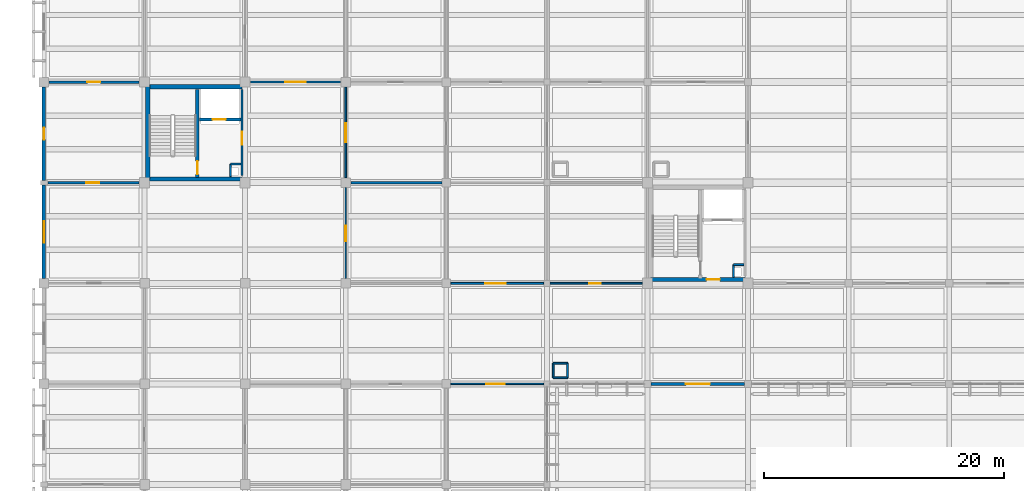
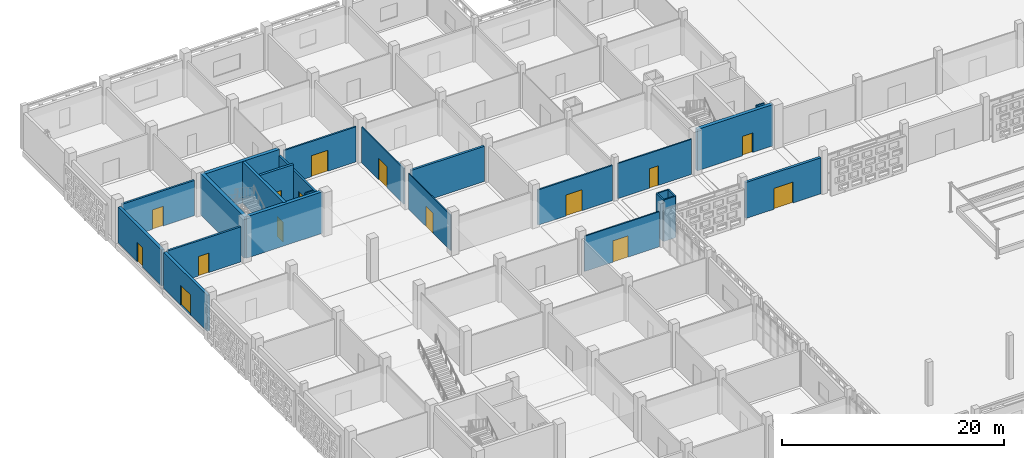
# One storey, part 63 of 129: 27 walls, 15 doors, 15 openings.
"""IFC4 building model written with IfcOpenShell, lengths in metres."""

import ifcopenshell
import ifcopenshell.guid

model = None  # the IFC model being written
_history = None  # IfcOwnerHistory: only IFC2X3 demands one
_inside = {}  # id of a spatial element -> (the spatial element, [elements in it])
_under = {}  # id of a project, library or spatial element -> (it, [spatial elements below it])
_declared = {}  # id of a project -> (the project, [libraries it declares])
_typed = {}  # id of a type object -> (the type object, [elements of that type])
_made_of = {}  # id of a material, layer set ... -> (it, [elements and type objects made of it])


def new_model(schema):
    """Start an empty IFC model of exactly this schema.

    Asked for "IFC4X3", IfcOpenShell would pick the latest addendum, in which some entities
    have other attributes; the version numbers below select the first issue.
    IFC2X3 requires an IfcOwnerHistory on every rooted entity: one is made here for all.
    """
    global model, _history
    if schema == "IFC4X3":
        model = ifcopenshell.file(schema_version=(4, 3, 0, 0))
    else:
        model = ifcopenshell.file(schema=schema)
    _inside.clear()
    _under.clear()
    _declared.clear()
    _typed.clear()
    _made_of.clear()
    _history = None
    if model.schema == "IFC2X3":
        org = make("IfcOrganization", Name="unknown")
        user = make(
            "IfcPersonAndOrganization",
            ThePerson=make("IfcPerson", FamilyName="unknown"),
            TheOrganization=org,
        )
        app = make(
            "IfcApplication",
            ApplicationDeveloper=org,
            Version="unknown",
            ApplicationFullName="unknown",
            ApplicationIdentifier="unknown",
        )
        _history = make(
            "IfcOwnerHistory",
            OwningUser=user,
            OwningApplication=app,
            ChangeAction="ADDED",
            CreationDate=0,
        )
    return model


def make(cls, **values):
    """One entity of the class cls with the attributes given. An attribute that is None is left unset."""
    return model.create_entity(
        cls, **{name: value for name, value in values.items() if value is not None}
    )


def rooted(cls, **values):
    """An entity with a GlobalId (a new one), such as an element, a storey or a relation."""
    return make(cls, GlobalId=ifcopenshell.guid.new(), OwnerHistory=_history, **values)


def si_unit(unit_type, name, prefix=None):
    """IfcSIUnit, for example si_unit("LENGTHUNIT", "METRE", prefix="MILLI")."""
    return make("IfcSIUnit", UnitType=unit_type, Prefix=prefix, Name=name)


def assignment(units):
    """IfcUnitAssignment: the units of a project."""
    return None if units is None else make("IfcUnitAssignment", Units=units)


def point(xyz):
    """IfcCartesianPoint."""
    return None if xyz is None else make("IfcCartesianPoint", Coordinates=xyz)


def direction(xyz):
    """IfcDirection."""
    return None if xyz is None else make("IfcDirection", DirectionRatios=xyz)


def frame(location, z_axis=None, x_axis=None):
    """IfcAxis2Placement3D, a coordinate frame: its origin and axes. An axis left out is left unset."""
    return make(
        "IfcAxis2Placement3D",
        Location=point(location),
        Axis=direction(z_axis),
        RefDirection=direction(x_axis),
    )


def frame_2d(location, x_axis=None):
    """IfcAxis2Placement2D, a coordinate frame in the plane: its origin and x axis."""
    return make(
        "IfcAxis2Placement2D", Location=point(location), RefDirection=direction(x_axis)
    )


def origin():
    """The frame at (0, 0, 0) with its axes left unset."""
    return frame((0.0, 0.0, 0.0))


def place(relative_to, where):
    """IfcLocalPlacement: puts the frame where relative to a parent placement (None: the world)."""
    return make(
        "IfcLocalPlacement", PlacementRelTo=relative_to, RelativePlacement=where
    )


def context(
    kind, dimensions, precision=None, world=None, true_north=None, identifier=None
):
    """IfcGeometricRepresentationContext, for example the 3D "Model" context."""
    return make(
        "IfcGeometricRepresentationContext",
        ContextIdentifier=identifier,
        ContextType=kind,
        CoordinateSpaceDimension=dimensions,
        Precision=precision,
        WorldCoordinateSystem=world,
        TrueNorth=true_north,
    )


def subcontext(parent, identifier, kind, view, scale=None):
    """IfcGeometricRepresentationSubContext, for example "Body" below "Model"."""
    return make(
        "IfcGeometricRepresentationSubContext",
        ContextIdentifier=identifier,
        ContextType=kind,
        ParentContext=parent,
        TargetScale=scale,
        TargetView=view,
    )


def project(units=None, contexts=None):
    """IfcProject with its units and contexts."""
    return rooted(
        "IfcProject",
        Name="project",
        RepresentationContexts=contexts,
        UnitsInContext=assignment(units),
    )


def spatial(cls, under=None, at=None, **own):
    """A site, building, storey or space (cls), placed at a placement, below another one or the project."""
    s = rooted(cls, ObjectPlacement=at, **own)
    if under is not None:
        _under.setdefault(under.id(), (under, []))[1].append(s)
    return s


def profile(cls, at=None, kind="AREA", **sizes):
    """A parametric profile (cls). Its sizes go by their IFC names, for example OverallWidth=200.0."""
    return make(cls, ProfileType=kind, Position=at, **sizes)


def rectangle(**sizes):
    """IfcRectangleProfileDef."""
    return profile("IfcRectangleProfileDef", **sizes)


def extrude(swept, where, along, depth):
    """IfcExtrudedAreaSolid: the profile swept, set in the frame where, extruded along a direction by depth."""
    return make(
        "IfcExtrudedAreaSolid",
        SweptArea=swept,
        Position=where,
        ExtrudedDirection=direction(along),
        Depth=depth,
    )


def shape(context_of_items, identifier, shape_type, items):
    """IfcShapeRepresentation: the items that make up one representation, for example the "Body"."""
    return make(
        "IfcShapeRepresentation",
        ContextOfItems=context_of_items,
        RepresentationIdentifier=identifier,
        RepresentationType=shape_type,
        Items=items,
    )


def material(Name=None, Category=None):
    """IfcMaterial."""
    return make("IfcMaterial", Name=Name, Category=Category)


def layer(
    of_material, thickness, ventilated=None, Name=None, Category=None, Priority=None
):
    """IfcMaterialLayer: one layer of a wall or slab, of a material (None: an air gap)."""
    return make(
        "IfcMaterialLayer",
        Material=of_material,
        LayerThickness=thickness,
        IsVentilated=ventilated,
        Name=Name,
        Category=Category,
        Priority=Priority,
    )


def layer_set(layers, Name=None):
    """IfcMaterialLayerSet."""
    return make("IfcMaterialLayerSet", MaterialLayers=layers, LayerSetName=Name)


def made_of(thing, what):
    """Note that an element or type object is made of a material, layer set ...; save() writes the relation."""
    if what is not None:
        _made_of.setdefault(what.id(), (what, []))[1].append(thing)
    return thing


def type_object(cls, material=None, **own):
    """A type object (cls), such as IfcWallType, which elements share."""
    return made_of(rooted(cls, **own), material)


def element(
    cls,
    number,
    at=None,
    inside=None,
    cuts=None,
    type_object=None,
    material=None,
    context=None,
    identifier="Body",
    shape_type=None,
    held_by="IfcProductDefinitionShape",
    body=None,
    shapes=None,
    **own,
):
    """One element of the class cls, such as IfcWall. Its Tag is "e" and its number.

    at: its placement. inside: the storey or other place that contains it. cuts: it is an
    opening in that element (IfcRelVoidsElement). A single representation is given by context,
    identifier, shape_type and body (its items); several are given by shapes. held_by: the class
    of the entity that holds the representations. save() writes the other relations.
    """
    e = rooted(cls, Tag="e%d" % number, ObjectPlacement=at, **own)
    if body is not None:
        shapes = [shape(context, identifier, shape_type, body)]
    if shapes is not None:
        e.Representation = make(held_by, Representations=shapes)
    if inside is not None:
        _inside.setdefault(inside.id(), (inside, []))[1].append(e)
    if cuts is not None:
        rooted(
            "IfcRelVoidsElement", RelatingBuildingElement=cuts, RelatedOpeningElement=e
        )
    if type_object is not None:
        _typed.setdefault(type_object.id(), (type_object, []))[1].append(e)
    return made_of(e, material)


def fill(opening, filler):
    """IfcRelFillsElement: the door or window that sits in an opening."""
    return rooted(
        "IfcRelFillsElement",
        RelatingOpeningElement=opening,
        RelatedBuildingElement=filler,
    )


def aggregate(whole, parts):
    """IfcRelAggregates: a whole, such as a stair, and the parts it consists of."""
    return rooted("IfcRelAggregates", RelatingObject=whole, RelatedObjects=parts)


def save(model, path):
    """Write the relations noted so far, then the file.

    IfcRelAggregates (storeys below a building ...), IfcRelContainedInSpatialStructure (elements
    in a storey), IfcRelDefinesByType, IfcRelAssociatesMaterial and IfcRelDeclares: one each for
    every whole, place, type object, material and project.
    """
    for whole, parts in _under.values():
        aggregate(whole, parts)
    for where, things in _inside.values():
        rooted(
            "IfcRelContainedInSpatialStructure",
            RelatedElements=things,
            RelatingStructure=where,
        )
    for kind, things in _typed.values():
        rooted("IfcRelDefinesByType", RelatedObjects=things, RelatingType=kind)
    for what, things in _made_of.values():
        rooted("IfcRelAssociatesMaterial", RelatedObjects=things, RelatingMaterial=what)
    for by, libraries in _declared.values():
        rooted("IfcRelDeclares", RelatingContext=by, RelatedDefinitions=libraries)
    model.write(path)


model = new_model("IFC4")

# Units and contexts
model_context = context("Model", 3, precision=1e-05, world=origin(), true_north=direction((0.0, 1.0)))
body_context = subcontext(model_context, "Body", "Model", "MODEL_VIEW")
ifc_project = project(units=[si_unit("LENGTHUNIT", "METRE"), si_unit("AREAUNIT", "SQUARE_METRE"), si_unit("VOLUMEUNIT", "CUBIC_METRE"), si_unit("PLANEANGLEUNIT", "RADIAN"), si_unit("MASSUNIT", "GRAM", prefix="KILO")], contexts=[model_context])

# Site, building, storey
site_placement = place(None, origin())
site = spatial("IfcSite", under=ifc_project, at=site_placement, CompositionType="ELEMENT")
building_placement = place(site_placement, origin())
building = spatial("IfcBuilding", under=site, at=building_placement, Name="Varnapada Polytechnic", CompositionType="ELEMENT")
storey_placement = place(building_placement, origin())
storey = spatial("IfcBuildingStorey", under=building, at=storey_placement, Name="L00", CompositionType="ELEMENT", Elevation=0.0)

# Wall, opening, door
ifc_material_1 = material(Name="Autoclaved Aerated Concrete Block AAC-600", Category="concrete")
ifc_layer_1 = layer(ifc_material_1, 0.199951171875)
ifc_layer_set_1 = layer_set([ifc_layer_1], Name="Autoclaved Aerated Concrete Block AAC-600")
wall_type_1 = type_object("IfcWallType", Name="Interior Wall IW-01", PredefinedType="PARTITIONING", material=ifc_layer_set_1)
wall_1_placement = place(storey_placement, frame((16.5400390625, 108.60009765625, 0.0), z_axis=(0.0, 0.0, 1.0), x_axis=(0.0, -1.0, 0.0)))
wall_1 = element("IfcWall", 1, at=wall_1_placement, inside=storey, type_object=wall_type_1, Name="L00 C1 firefighting lobby east wall", PredefinedType="PARTITIONING", context=body_context, shape_type="SweptSolid", body=[
    extrude(rectangle(XDim=7.2001953125, YDim=0.199951171875, at=frame_2d((3.60009765625, 0.0))), origin(), (0.0, 0.0, 1.0), 3.919921875),
])
opening_1_placement = place(wall_1_placement, frame((3.550048828125, 0.0, 0.0)))
opening_1 = element("IfcOpeningElement", 2, at=opening_1_placement, cuts=wall_1, Name="Opening D-810", PredefinedType="OPENING", context=body_context, shape_type="SweptSolid", body=[
    extrude(rectangle(XDim=1.10009765625, YDim=2.14990234375, at=frame_2d((0.550048828125, 1.074951171875))), frame((0.0, 0.10986328125, 0.0), z_axis=(0.0, -1.0, 0.0), x_axis=(1.0, 0.0, 0.0)), (0.0, 0.0, 1.0), 0.219970703125),
])
ifc_material_2 = material(Name="Galvanized Steel Z275", Category="steel")
door_type_1 = type_object("IfcDoorType", Name="Interior Door ID-01", OperationType="NOTDEFINED", PredefinedType="DOOR", material=ifc_material_2)
door_1_placement = place(opening_1_placement, origin())
door_1 = element("IfcDoor", 3, at=door_1_placement, inside=storey, type_object=door_type_1, Name="L00 C1 lobby fire door D-810", OperationType="SINGLE_SWING_RIGHT", OverallHeight=2.14990234375, OverallWidth=1.10009765625, PredefinedType="DOOR", context=body_context, shape_type="SweptSolid", body=[
    extrude(rectangle(XDim=1.10009765625, YDim=2.14990234375, at=frame_2d((0.550048828125, 1.074951171875))), frame((0.0, 0.02490234375, 0.0), z_axis=(0.0, -1.0, 0.0), x_axis=(1.0, 0.0, 0.0)), (0.0, 0.0, 1.0), 0.050048828125),
])
fill(opening_1, door_1)

wall_2_placement = place(storey_placement, frame((0.320068359375, 100.800048828125, 0.0), z_axis=(0.0, 0.0, 1.0), x_axis=(1.0, 0.0, 0.0)))
wall_2 = element("IfcWall", 4, at=wall_2_placement, inside=storey, type_object=wall_type_1, Name="L00 interior partition IW-L00-00-11-H", PredefinedType="PARTITIONING", context=body_context, shape_type="SweptSolid", body=[
    extrude(rectangle(XDim=7.635009765625, YDim=0.199951171875, at=frame_2d((3.8173828125, 0.0))), origin(), (0.0, 0.0, 1.0), 3.8701171875),
])
opening_2_placement = place(wall_2_placement, frame((3.199951171875, 0.0, 0.0)))
opening_2 = element("IfcOpeningElement", 5, at=opening_2_placement, cuts=wall_2, Name="Opening D-825", PredefinedType="OPENING", context=body_context, shape_type="SweptSolid", body=[
    extrude(rectangle(XDim=1.10009765625, YDim=2.14990234375, at=frame_2d((0.550048828125, 1.074951171875))), frame((0.0, 0.10986328125, 0.0), z_axis=(0.0, -1.0, 0.0), x_axis=(1.0, 0.0, 0.0)), (0.0, 0.0, 1.0), 0.219970703125),
])
door_2_placement = place(opening_2_placement, origin())
door_2 = element("IfcDoor", 6, at=door_2_placement, inside=storey, type_object=door_type_1, Name="L00 interior room door D-825", OperationType="SINGLE_SWING_RIGHT", OverallHeight=2.14990234375, OverallWidth=1.10009765625, PredefinedType="DOOR", context=body_context, shape_type="SweptSolid", body=[
    extrude(rectangle(XDim=1.10009765625, YDim=2.14990234375, at=frame_2d((0.550048828125, 1.074951171875))), frame((0.0, 0.02490234375, 0.0), z_axis=(0.0, -1.0, 0.0), x_axis=(1.0, 0.0, 0.0)), (0.0, 0.0, 1.0), 0.050048828125),
])
fill(opening_2, door_2)

wall_3_placement = place(storey_placement, frame((0.419921875, 109.199951171875, 0.0), z_axis=(0.0, 0.0, 1.0), x_axis=(1.0, 0.0, 0.0)))
wall_3 = element("IfcWall", 7, at=wall_3_placement, inside=storey, type_object=wall_type_1, Name="L00 interior partition IW-L00-00-12-H", PredefinedType="PARTITIONING", context=body_context, shape_type="SweptSolid", body=[
    extrude(rectangle(XDim=7.53515625, YDim=0.199951171875, at=frame_2d((3.767578125, 0.0))), origin(), (0.0, 0.0, 1.0), 3.8701171875),
])
opening_3_placement = place(wall_3_placement, frame((3.199951171875, 0.0, 0.0)))
opening_3 = element("IfcOpeningElement", 8, at=opening_3_placement, cuts=wall_3, Name="Opening D-826", PredefinedType="OPENING", context=body_context, shape_type="SweptSolid", body=[
    extrude(rectangle(XDim=1.10009765625, YDim=2.14990234375, at=frame_2d((0.550048828125, 1.074951171875))), frame((0.0, 0.10986328125, 0.0), z_axis=(0.0, -1.0, 0.0), x_axis=(1.0, 0.0, 0.0)), (0.0, 0.0, 1.0), 0.219970703125),
])
door_3_placement = place(opening_3_placement, origin())
door_3 = element("IfcDoor", 9, at=door_3_placement, inside=storey, type_object=door_type_1, Name="L00 interior room door D-826", OperationType="SINGLE_SWING_LEFT", OverallHeight=2.14990234375, OverallWidth=1.10009765625, PredefinedType="DOOR", context=body_context, shape_type="SweptSolid", body=[
    extrude(rectangle(XDim=1.10009765625, YDim=2.14990234375, at=frame_2d((0.550048828125, 1.074951171875))), frame((0.0, 0.02490234375, 0.0), z_axis=(0.0, -1.0, 0.0), x_axis=(1.0, 0.0, 0.0)), (0.0, 0.0, 1.0), 0.050048828125),
])
fill(opening_3, door_3)

# Walls
ifc_layer_2 = layer(ifc_material_1, 0.14990234375)
ifc_layer_set_2 = layer_set([ifc_layer_2], Name="Autoclaved Aerated Concrete Block AAC-600")
wall_type_2 = type_object("IfcWallType", Name="Interior Wall IW-02", PredefinedType="PARTITIONING", material=ifc_layer_set_2)
wall_4_placement = place(storey_placement, frame((15.580078125, 102.360107421875, 0.0), z_axis=(0.0, 0.0, 1.0), x_axis=(0.0, -1.0, 0.0)))
element("IfcWall", 10, at=wall_4_placement, inside=storey, type_object=wall_type_2, Name="L00 C1 riser shaft west wall", PredefinedType="PARTITIONING", context=body_context, shape_type="SweptSolid", body=[
    extrude(rectangle(XDim=1.06005859375, YDim=0.14990234375, at=frame_2d((0.530029296875, 0.0))), origin(), (0.0, 0.0, 1.0), 3.919921875),
])
wall_5_placement = place(storey_placement, frame((15.580078125, 102.360107421875, 0.0), z_axis=(0.0, 0.0, 1.0), x_axis=(1.0, 0.0, 0.0)))
element("IfcWall", 11, at=wall_5_placement, inside=storey, type_object=wall_type_2, Name="L00 C1 riser shaft north wall", PredefinedType="PARTITIONING", context=body_context, shape_type="SweptSolid", body=[
    extrude(rectangle(XDim=0.85986328125, YDim=0.14990234375, at=frame_2d((0.429931640625, 0.0))), origin(), (0.0, 0.0, 1.0), 3.919921875),
])
wall_6_placement = place(storey_placement, frame((57.580078125, 93.9599609375, 0.0), z_axis=(0.0, 0.0, 1.0), x_axis=(0.0, -1.0, 0.0)))
element("IfcWall", 12, at=wall_6_placement, inside=storey, type_object=wall_type_2, Name="L00 C4 riser shaft west wall", PredefinedType="PARTITIONING", context=body_context, shape_type="SweptSolid", body=[
    extrude(rectangle(XDim=1.06005859375, YDim=0.14990234375, at=frame_2d((0.530029296875, 0.0))), origin(), (0.0, 0.0, 1.0), 3.919921875),
])
wall_7_placement = place(storey_placement, frame((57.580078125, 93.9599609375, 0.0), z_axis=(0.0, 0.0, 1.0), x_axis=(1.0, 0.0, 0.0)))
element("IfcWall", 13, at=wall_7_placement, inside=storey, type_object=wall_type_2, Name="L00 C4 riser shaft north wall", PredefinedType="PARTITIONING", context=body_context, shape_type="SweptSolid", body=[
    extrude(rectangle(XDim=0.85986328125, YDim=0.14990234375, at=frame_2d((0.429931640625, 0.0))), origin(), (0.0, 0.0, 1.0), 3.919921875),
])
for number, where, z_axis, x_axis, name in (
    (14, (42.52001953125, 84.52001953125, 0.0), (0.0, 0.0, 1.0), (1.0, 0.0, 0.0), "L00 enclosed service riser wall (6,11) S"),
    (15, (43.719970703125, 84.52001953125, 0.0), (0.0, 0.0, 1.0), (0.0, 1.0, 0.0), "L00 enclosed service riser wall (6,11) E"),
    (16, (43.719970703125, 85.719970703125, 0.0), (0.0, 0.0, 1.0), (-1.0, 0.0, 0.0), "L00 enclosed service riser wall (6,11) N"),
    (17, (42.52001953125, 85.719970703125, 0.0), (0.0, 0.0, 1.0), (0.0, -1.0, 0.0), "L00 enclosed service riser wall (6,11) W"),
):
    element("IfcWall", number, at=place(storey_placement, frame(where, z_axis=z_axis, x_axis=x_axis)), inside=storey, type_object=wall_type_2, Name=name, PredefinedType="PARTITIONING", context=body_context, shape_type="SweptSolid", body=[
        extrude(rectangle(XDim=1.199951171875, YDim=0.14990234375, at=frame_2d((0.60009765625, 0.0))), origin(), (0.0, 0.0, 1.0), 4.550048828125),
    ])

# Wall, opening, door
ifc_material_3 = material(Name="Moisture-Resistant Cement Board Partition")
ifc_layer_3 = layer(ifc_material_3, 0.139892578125)
ifc_layer_set_3 = layer_set([ifc_layer_3], Name="Moisture-Resistant Cement Board Partition")
wall_type_3 = type_object("IfcWallType", Name="Interior Wall IW-04", PredefinedType="PARTITIONING", material=ifc_layer_set_3)
wall_8_placement = place(storey_placement, frame((33.969970703125, 84.0, 0.0), z_axis=(0.0, 0.0, 1.0), x_axis=(1.0, 0.0, 0.0)))
wall_8 = element("IfcWall", 18, at=wall_8_placement, inside=storey, type_object=wall_type_3, Name="L00 interior partition IW-L00-04-09-H", PredefinedType="PARTITIONING", context=body_context, shape_type="SweptSolid", body=[
    extrude(rectangle(XDim=7.760009765625, YDim=0.139892578125, at=frame_2d((3.8798828125, 0.0))), origin(), (0.0, 0.0, 1.0), 3.8701171875),
])
opening_4_placement = place(wall_8_placement, frame((2.97509765625, 0.0, 0.0)))
opening_4 = element("IfcOpeningElement", 19, at=opening_4_placement, cuts=wall_8, Name="Opening D-860", PredefinedType="OPENING", context=body_context, shape_type="SweptSolid", body=[
    extrude(rectangle(XDim=1.550048828125, YDim=2.35009765625, at=frame_2d((0.77490234375, 1.175048828125))), frame((0.0, 0.079833984375, 0.0), z_axis=(0.0, -1.0, 0.0), x_axis=(1.0, 0.0, 0.0)), (0.0, 0.0, 1.0), 0.159912109375),
])
door_type_2 = type_object("IfcDoorType", Name="Interior Door ID-12", OperationType="NOTDEFINED", PredefinedType="DOOR", material=ifc_material_2)
door_4_placement = place(opening_4_placement, frame((1.550048828125, 0.0, 0.0), z_axis=(0.0, 0.0, 1.0), x_axis=(-1.0, 0.0, 0.0)))
door_4 = element("IfcDoor", 20, at=door_4_placement, inside=storey, type_object=door_type_2, Name="L00 interior room door D-860", OperationType="SINGLE_SWING_LEFT", OverallHeight=2.35009765625, OverallWidth=1.550048828125, PredefinedType="DOOR", context=body_context, shape_type="SweptSolid", body=[
    extrude(rectangle(XDim=1.550048828125, YDim=2.35009765625, at=frame_2d((0.77490234375, 1.175048828125))), frame((0.0, 0.02490234375, 0.0), z_axis=(0.0, -1.0, 0.0), x_axis=(1.0, 0.0, 0.0)), (0.0, 0.0, 1.0), 0.050048828125),
])
fill(opening_4, door_4)

wall_9_placement = place(storey_placement, frame((42.27001953125, 92.39990234375, 0.0), z_axis=(0.0, 0.0, 1.0), x_axis=(1.0, 0.0, 0.0)))
wall_9 = element("IfcWall", 21, at=wall_9_placement, inside=storey, type_object=wall_type_3, Name="L00 interior partition IW-L00-05-10-H", PredefinedType="PARTITIONING", context=body_context, shape_type="SweptSolid", body=[
    extrude(rectangle(XDim=7.68505859375, YDim=0.139892578125, at=frame_2d((3.842529296875, 0.0))), origin(), (0.0, 0.0, 1.0), 3.860107421875),
])
opening_5_placement = place(wall_9_placement, frame((3.27490234375, 0.0, 0.0)))
opening_5 = element("IfcOpeningElement", 22, at=opening_5_placement, cuts=wall_9, Name="Opening D-867", PredefinedType="OPENING", context=body_context, shape_type="SweptSolid", body=[
    extrude(rectangle(XDim=0.949951171875, YDim=2.14990234375, at=frame_2d((0.47509765625, 1.074951171875))), frame((0.0, 0.079833984375, 0.0), z_axis=(0.0, -1.0, 0.0), x_axis=(1.0, 0.0, 0.0)), (0.0, 0.0, 1.0), 0.159912109375),
])
ifc_material_4 = material(Name="Moisture-Resistant HPL Timber", Category="wood")
door_type_3 = type_object("IfcDoorType", Name="Interior Door ID-03", OperationType="NOTDEFINED", PredefinedType="DOOR", material=ifc_material_4)
door_5_placement = place(opening_5_placement, origin())
door_5 = element("IfcDoor", 23, at=door_5_placement, inside=storey, type_object=door_type_3, Name="L00 interior room door D-867", OperationType="SINGLE_SWING_RIGHT", OverallHeight=2.14990234375, OverallWidth=0.949951171875, PredefinedType="DOOR", context=body_context, shape_type="SweptSolid", body=[
    extrude(rectangle(XDim=0.949951171875, YDim=2.14990234375, at=frame_2d((0.47509765625, 1.074951171875))), frame((0.0, 0.02490234375, 0.0), z_axis=(0.0, -1.0, 0.0), x_axis=(1.0, 0.0, 0.0)), (0.0, 0.0, 1.0), 0.050048828125),
])
fill(opening_5, door_5)

ifc_material_5 = material(Name="Cross-laminated timber CLT C24", Category="wood")
ifc_layer_4 = layer(ifc_material_5, 0.159912109375)
ifc_layer_set_4 = layer_set([ifc_layer_4], Name="Cross-laminated timber CLT C24")
wall_type_4 = type_object("IfcWallType", Name="Interior Wall IW-05", PredefinedType="PARTITIONING", material=ifc_layer_set_4)
wall_10_placement = place(storey_placement, frame((33.969970703125, 92.39990234375, 0.0), z_axis=(0.0, 0.0, 1.0), x_axis=(1.0, 0.0, 0.0)))
wall_10 = element("IfcWall", 24, at=wall_10_placement, inside=storey, type_object=wall_type_4, Name="L00 interior partition IW-L00-04-10-H", PredefinedType="PARTITIONING", context=body_context, shape_type="SweptSolid", body=[
    extrude(rectangle(XDim=7.760009765625, YDim=0.159912109375, at=frame_2d((3.8798828125, 0.0))), origin(), (0.0, 0.0, 1.0), 3.8701171875),
])
opening_6_placement = place(wall_10_placement, frame((2.89990234375, 0.0, 0.0)))
opening_6 = element("IfcOpeningElement", 25, at=opening_6_placement, cuts=wall_10, Name="Opening D-861", PredefinedType="OPENING", context=body_context, shape_type="SweptSolid", body=[
    extrude(rectangle(XDim=1.699951171875, YDim=2.300048828125, at=frame_2d((0.85009765625, 1.14990234375))), frame((0.0, 0.08984375, 0.0), z_axis=(0.0, -1.0, 0.0), x_axis=(1.0, 0.0, 0.0)), (0.0, 0.0, 1.0), 0.179931640625),
])
ifc_material_6 = material(Name="Acoustic Double Timber Leaf", Category="wood")
door_type_4 = type_object("IfcDoorType", Name="Interior Door ID-13", OperationType="NOTDEFINED", PredefinedType="DOOR", material=ifc_material_6)
door_6_placement = place(opening_6_placement, origin())
door_6 = element("IfcDoor", 26, at=door_6_placement, inside=storey, type_object=door_type_4, Name="L00 interior room door D-861", OperationType="SINGLE_SWING_RIGHT", OverallHeight=2.300048828125, OverallWidth=1.699951171875, PredefinedType="DOOR", context=body_context, shape_type="SweptSolid", body=[
    extrude(rectangle(XDim=1.699951171875, YDim=2.300048828125, at=frame_2d((0.85009765625, 1.14990234375))), frame((0.0, 0.02490234375, 0.0), z_axis=(0.0, -1.0, 0.0), x_axis=(1.0, 0.0, 0.0)), (0.0, 0.0, 1.0), 0.050048828125),
])
fill(opening_6, door_6)

ifc_material_7 = material(Name="Operable Acoustic Seminar Partition")
ifc_layer_5 = layer(ifc_material_7, 0.10009765625)
ifc_layer_set_5 = layer_set([ifc_layer_5], Name="Operable Acoustic Seminar Partition")
wall_type_5 = type_object("IfcWallType", Name="Interior Wall IW-08", PredefinedType="MOVABLE", material=ifc_layer_set_5)
wall_11_placement = place(storey_placement, frame((25.199951171875, 92.820068359375, 0.0), z_axis=(0.0, 0.0, 1.0), x_axis=(0.0, 1.0, 0.0)))
wall_11 = element("IfcWall", 27, at=wall_11_placement, inside=storey, type_object=wall_type_5, Name="L00 interior partition IW-L00-02-11-V", PredefinedType="MOVABLE", context=body_context, shape_type="SweptSolid", body=[
    extrude(rectangle(XDim=7.559814453125, YDim=0.10009765625, at=frame_2d((3.77978515625, 0.0))), origin(), (0.0, 0.0, 1.0), 3.919921875),
])
opening_7_placement = place(wall_11_placement, frame((3.10009765625, 0.0, 0.0)))
opening_7 = element("IfcOpeningElement", 28, at=opening_7_placement, cuts=wall_11, Name="Opening D-842", PredefinedType="OPENING", context=body_context, shape_type="SweptSolid", body=[
    extrude(rectangle(XDim=1.300048828125, YDim=2.199951171875, at=frame_2d((0.64990234375, 1.10009765625))), frame((0.0, 0.06005859375, 0.0), z_axis=(0.0, -1.0, 0.0), x_axis=(1.0, 0.0, 0.0)), (0.0, 0.0, 1.0), 0.1201171875),
])
ifc_material_8 = material(Name="Acoustic Laminated Timber Leaf", Category="wood")
door_type_5 = type_object("IfcDoorType", Name="Interior Door ID-11", OperationType="NOTDEFINED", PredefinedType="DOOR", material=ifc_material_8)
door_7_placement = place(opening_7_placement, frame((1.300048828125, 0.0, 0.0), z_axis=(0.0, 0.0, 1.0), x_axis=(-1.0, 0.0, 0.0)))
door_7 = element("IfcDoor", 29, at=door_7_placement, inside=storey, type_object=door_type_5, Name="L00 interior room door D-842", OperationType="SINGLE_SWING_LEFT", OverallHeight=2.199951171875, OverallWidth=1.300048828125, PredefinedType="DOOR", context=body_context, shape_type="SweptSolid", body=[
    extrude(rectangle(XDim=1.300048828125, YDim=2.199951171875, at=frame_2d((0.64990234375, 1.10009765625))), frame((0.0, 0.02490234375, 0.0), z_axis=(0.0, -1.0, 0.0), x_axis=(1.0, 0.0, 0.0)), (0.0, 0.0, 1.0), 0.050048828125),
])
fill(opening_7, door_7)

ifc_material_9 = material(Name="Calcium Silicate Acoustic Lab Partition")
ifc_layer_6 = layer(ifc_material_9, 0.135009765625)
ifc_layer_set_6 = layer_set([ifc_layer_6], Name="Calcium Silicate Acoustic Lab Partition")
wall_type_6 = type_object("IfcWallType", Name="Interior Wall IW-09", PredefinedType="PARTITIONING", material=ifc_layer_set_6)
wall_12_placement = place(storey_placement, frame((25.199951171875, 101.219970703125, 0.0), z_axis=(0.0, 0.0, 1.0), x_axis=(0.0, 1.0, 0.0)))
wall_12 = element("IfcWall", 30, at=wall_12_placement, inside=storey, type_object=wall_type_6, Name="L00 interior partition IW-L00-02-12-V", PredefinedType="PARTITIONING", context=body_context, shape_type="SweptSolid", body=[
    extrude(rectangle(XDim=7.56005859375, YDim=0.135009765625, at=frame_2d((3.780029296875, 0.0))), origin(), (0.0, 0.0, 1.0), 3.919921875),
])
opening_8_placement = place(wall_12_placement, frame((2.97509765625, 0.0, 0.0)))
opening_8 = element("IfcOpeningElement", 31, at=opening_8_placement, cuts=wall_12, Name="Opening D-843", PredefinedType="OPENING", context=body_context, shape_type="SweptSolid", body=[
    extrude(rectangle(XDim=1.550048828125, YDim=2.35009765625, at=frame_2d((0.77490234375, 1.175048828125))), frame((0.0, 0.077392578125, 0.0), z_axis=(0.0, -1.0, 0.0), x_axis=(1.0, 0.0, 0.0)), (0.0, 0.0, 1.0), 0.155029296875),
])
door_8_placement = place(opening_8_placement, origin())
door_8 = element("IfcDoor", 32, at=door_8_placement, inside=storey, type_object=door_type_2, Name="L00 interior room door D-843", OperationType="SINGLE_SWING_RIGHT", OverallHeight=2.35009765625, OverallWidth=1.550048828125, PredefinedType="DOOR", context=body_context, shape_type="SweptSolid", body=[
    extrude(rectangle(XDim=1.550048828125, YDim=2.35009765625, at=frame_2d((0.77490234375, 1.175048828125))), frame((0.0, 0.02490234375, 0.0), z_axis=(0.0, -1.0, 0.0), x_axis=(1.0, 0.0, 0.0)), (0.0, 0.0, 1.0), 0.050048828125),
])
fill(opening_8, door_8)

ifc_material_10 = material(Name="Double-Layer Fireboard Workshop Wall")
ifc_layer_7 = layer(ifc_material_10, 0.169921875)
ifc_layer_set_7 = layer_set([ifc_layer_7], Name="Double-Layer Fireboard Workshop Wall")
wall_type_7 = type_object("IfcWallType", Name="Interior Wall IW-10", PredefinedType="PARTITIONING", material=ifc_layer_set_7)
wall_13_placement = place(storey_placement, frame((17.2451171875, 109.199951171875, 0.0), z_axis=(0.0, 0.0, 1.0), x_axis=(1.0, 0.0, 0.0)))
wall_13 = element("IfcWall", 33, at=wall_13_placement, inside=storey, type_object=wall_type_7, Name="L00 interior partition IW-L00-02-12-H", PredefinedType="PARTITIONING", context=body_context, shape_type="SweptSolid", body=[
    extrude(rectangle(XDim=7.534912109375, YDim=0.169921875, at=frame_2d((3.767578125, 0.0))), origin(), (0.0, 0.0, 1.0), 3.8701171875),
])
opening_9_placement = place(wall_13_placement, frame((2.89990234375, 0.0, 0.0)))
opening_9 = element("IfcOpeningElement", 34, at=opening_9_placement, cuts=wall_13, Name="Opening D-844", PredefinedType="OPENING", context=body_context, shape_type="SweptSolid", body=[
    extrude(rectangle(XDim=1.699951171875, YDim=2.300048828125, at=frame_2d((0.85009765625, 1.14990234375))), frame((0.0, 0.094970703125, 0.0), z_axis=(0.0, -1.0, 0.0), x_axis=(1.0, 0.0, 0.0)), (0.0, 0.0, 1.0), 0.18994140625),
])
door_9_placement = place(opening_9_placement, origin())
door_9 = element("IfcDoor", 35, at=door_9_placement, inside=storey, type_object=door_type_4, Name="L00 interior room door D-844", OperationType="SINGLE_SWING_LEFT", OverallHeight=2.300048828125, OverallWidth=1.699951171875, PredefinedType="DOOR", context=body_context, shape_type="SweptSolid", body=[
    extrude(rectangle(XDim=1.699951171875, YDim=2.300048828125, at=frame_2d((0.85009765625, 1.14990234375))), frame((0.0, 0.02490234375, 0.0), z_axis=(0.0, -1.0, 0.0), x_axis=(1.0, 0.0, 0.0)), (0.0, 0.0, 1.0), 0.050048828125),
])
fill(opening_9, door_9)

# Walls
ifc_material_11 = material(Name="Double-Leaf Acoustic Lecture Wall")
ifc_layer_8 = layer(ifc_material_11, 0.235107421875)
ifc_layer_set_8 = layer_set([ifc_layer_8], Name="Double-Leaf Acoustic Lecture Wall")
wall_type_8 = type_object("IfcWallType", Name="Interior Wall IW-17", PredefinedType="PARTITIONING", material=ifc_layer_set_8)
wall_14_placement = place(storey_placement, frame((25.6201171875, 100.800048828125, 0.0), z_axis=(0.0, 0.0, 1.0), x_axis=(1.0, 0.0, 0.0)))
element("IfcWall", 36, at=wall_14_placement, inside=storey, type_object=wall_type_8, Name="L00 interior partition IW-L00-03-11-H", PredefinedType="PARTITIONING", context=body_context, shape_type="SweptSolid", body=[
    extrude(rectangle(XDim=7.60986328125, YDim=0.235107421875, at=frame_2d((3.804931640625, 0.0))), origin(), (0.0, 0.0, 1.0), 3.8701171875),
])
ifc_material_12 = material(Name="Concrete C40/50", Category="concrete")
ifc_layer_9 = layer(ifc_material_12, 0.35009765625)
ifc_layer_set_9 = layer_set([ifc_layer_9], Name="Concrete C40/50")
wall_type_9 = type_object("IfcWallType", Name="Interior Wall SW-01", PredefinedType="SHEAR", material=ifc_layer_set_9)
wall_15_placement = place(storey_placement, frame((8.6650390625, 101.050048828125, 0.0), z_axis=(0.0, 0.0, 1.0), x_axis=(0.0, 1.0, 0.0)))
element("IfcWall", 37, at=wall_15_placement, inside=storey, type_object=wall_type_9, Name="L00 C1 stair west shear wall", PredefinedType="SHEAR", context=body_context, shape_type="SweptSolid", body=[
    extrude(rectangle(XDim=7.93994140625, YDim=0.35009765625, at=frame_2d((3.969970703125, 0.0))), origin(), (0.0, 0.0, 1.0), 4.550048828125),
])
for number, where, z_axis, x_axis, name in (
    (38, (8.6650390625, 108.820068359375, 0.0), (0.0, 0.0, 1.0), (1.0, 0.0, 0.0), "L00 C1 core north shear wall"),
    (39, (16.5400390625, 101.1201171875, 0.0), (0.0, 0.0, 1.0), (-1.0, 0.0, 0.0), "L00 C1 core south shear wall"),
):
    element("IfcWall", number, at=place(storey_placement, frame(where, z_axis=z_axis, x_axis=x_axis)), inside=storey, type_object=wall_type_9, Name=name, PredefinedType="SHEAR", context=body_context, shape_type="SweptSolid", body=[
        extrude(rectangle(XDim=7.875, YDim=0.35009765625, at=frame_2d((3.9375, 0.0))), origin(), (0.0, 0.0, 1.0), 4.550048828125),
    ])

# Wall, opening, door
wall_16_placement = place(storey_placement, frame((58.5400390625, 92.719970703125, 0.0), z_axis=(0.0, 0.0, 1.0), x_axis=(-1.0, 0.0, 0.0)))
wall_16 = element("IfcWall", 40, at=wall_16_placement, inside=storey, type_object=wall_type_9, Name="L00 C4 core south shear wall", PredefinedType="SHEAR", context=body_context, shape_type="SweptSolid", body=[
    extrude(rectangle(XDim=7.875, YDim=0.35009765625, at=frame_2d((3.9375, 0.0))), origin(), (0.0, 0.0, 1.0), 4.5400390625),
])
opening_10_placement = place(wall_16_placement, frame((2.10009765625, 0.0, 0.0)))
opening_10 = element("IfcOpeningElement", 41, at=opening_10_placement, cuts=wall_16, Name="Opening D-814", PredefinedType="OPENING", context=body_context, shape_type="SweptSolid", body=[
    extrude(rectangle(XDim=1.10009765625, YDim=2.14990234375, at=frame_2d((0.550048828125, 1.074951171875))), frame((0.0, 0.18505859375, 0.0), z_axis=(0.0, -1.0, 0.0), x_axis=(1.0, 0.0, 0.0)), (0.0, 0.0, 1.0), 0.3701171875),
])
door_10_placement = place(opening_10_placement, origin())
door_10 = element("IfcDoor", 42, at=door_10_placement, inside=storey, type_object=door_type_1, Name="L00 C4 lobby fire door D-814", OperationType="SINGLE_SWING_RIGHT", OverallHeight=2.14990234375, OverallWidth=1.10009765625, PredefinedType="DOOR", context=body_context, shape_type="SweptSolid", body=[
    extrude(rectangle(XDim=1.10009765625, YDim=2.14990234375, at=frame_2d((0.550048828125, 1.074951171875))), frame((0.0, 0.02490234375, 0.0), z_axis=(0.0, -1.0, 0.0), x_axis=(1.0, 0.0, 0.0)), (0.0, 0.0, 1.0), 0.050048828125),
])
fill(opening_10, door_10)

ifc_layer_10 = layer(ifc_material_12, 0.300048828125)
ifc_layer_set_10 = layer_set([ifc_layer_10], Name="Concrete C40/50")
wall_type_10 = type_object("IfcWallType", Name="Interior Wall SW-02", PredefinedType="SHEAR", material=ifc_layer_set_10)
wall_17_placement = place(storey_placement, frame((12.81005859375, 101.219970703125, 0.0), z_axis=(0.0, 0.0, 1.0), x_axis=(0.0, 1.0, 0.0)))
wall_17 = element("IfcWall", 43, at=wall_17_placement, inside=storey, type_object=wall_type_10, Name="L00 C1 stair-lobby dividing shear wall", PredefinedType="SHEAR", context=body_context, shape_type="SweptSolid", body=[
    extrude(rectangle(XDim=7.380126953125, YDim=0.300048828125, at=frame_2d((3.68994140625, 0.0))), origin(), (0.0, 0.0, 1.0), 4.550048828125),
])
opening_11_placement = place(wall_17_placement, frame((0.280029296875, 0.0, 0.0)))
opening_11 = element("IfcOpeningElement", 44, at=opening_11_placement, cuts=wall_17, Name="Opening D-811", PredefinedType="OPENING", context=body_context, shape_type="SweptSolid", body=[
    extrude(rectangle(XDim=1.10009765625, YDim=2.14990234375, at=frame_2d((0.550048828125, 1.074951171875))), frame((0.0, 0.159912109375, 0.0), z_axis=(0.0, -1.0, 0.0), x_axis=(1.0, 0.0, 0.0)), (0.0, 0.0, 1.0), 0.320068359375),
])
door_11_placement = place(opening_11_placement, frame((1.10009765625, 0.0, 0.0), z_axis=(0.0, 0.0, 1.0), x_axis=(-1.0, 0.0, 0.0)))
door_11 = element("IfcDoor", 45, at=door_11_placement, inside=storey, type_object=door_type_1, Name="L00 C1 exit stair door D-811", OperationType="SINGLE_SWING_RIGHT", OverallHeight=2.14990234375, OverallWidth=1.10009765625, PredefinedType="DOOR", context=body_context, shape_type="SweptSolid", body=[
    extrude(rectangle(XDim=1.10009765625, YDim=2.14990234375, at=frame_2d((0.550048828125, 1.074951171875))), frame((0.0, 0.02490234375, 0.0), z_axis=(0.0, -1.0, 0.0), x_axis=(1.0, 0.0, 0.0)), (0.0, 0.0, 1.0), 0.050048828125),
])
fill(opening_11, door_11)

ifc_layer_11 = layer(ifc_material_12, 0.25)
ifc_layer_set_11 = layer_set([ifc_layer_11], Name="Concrete C40/50")
wall_type_11 = type_object("IfcWallType", Name="Interior Wall SW-05", PredefinedType="SHEAR", material=ifc_layer_set_11)
wall_18_placement = place(storey_placement, frame((12.97998046875, 106.080078125, 0.0), z_axis=(0.0, 0.0, 1.0), x_axis=(1.0, 0.0, 0.0)))
wall_18 = element("IfcWall", 46, at=wall_18_placement, inside=storey, type_object=wall_type_11, Name="L00 C1 lift shaft front wall", PredefinedType="SHEAR", context=body_context, shape_type="SweptSolid", body=[
    extrude(rectangle(XDim=3.4599609375, YDim=0.25, at=frame_2d((1.72998046875, 0.0))), origin(), (0.0, 0.0, 1.0), 4.550048828125),
])
opening_12_placement = place(wall_18_placement, frame((1.10009765625, 0.0, 0.0)))
opening_12 = element("IfcOpeningElement", 47, at=opening_12_placement, cuts=wall_18, Name="Opening LD-008", PredefinedType="OPENING", context=body_context, shape_type="SweptSolid", body=[
    extrude(rectangle(XDim=1.10009765625, YDim=2.14990234375, at=frame_2d((0.550048828125, 1.074951171875))), frame((0.0, 0.135009765625, 0.0), z_axis=(0.0, -1.0, 0.0), x_axis=(1.0, 0.0, 0.0)), (0.0, 0.0, 1.0), 0.27001953125),
])
ifc_material_13 = material(Name="Brushed Stainless Steel 316", Category="steel")
door_type_6 = type_object("IfcDoorType", Name="Interior Door LD-01", OperationType="NOTDEFINED", PredefinedType="DOOR", material=ifc_material_13)
door_12_placement = place(opening_12_placement, origin())
door_12 = element("IfcDoor", 48, at=door_12_placement, inside=storey, type_object=door_type_6, Name="L00 LFT-01 sliding lift landing door LD-008", OperationType="DOUBLE_DOOR_SLIDING", OverallHeight=2.14990234375, OverallWidth=1.10009765625, PredefinedType="DOOR", context=body_context, shape_type="SweptSolid", body=[
    extrude(rectangle(XDim=1.10009765625, YDim=2.14990234375, at=frame_2d((0.550048828125, 1.074951171875))), frame((0.0, 0.02490234375, 0.0), z_axis=(0.0, -1.0, 0.0), x_axis=(1.0, 0.0, 0.0)), (0.0, 0.0, 1.0), 0.050048828125),
])
fill(opening_12, door_12)

ifc_material_14 = material(Name="Precast concrete C40/50", Category="concrete")
ifc_layer_12 = layer(ifc_material_14, 0.300048828125)
ifc_layer_set_12 = layer_set([ifc_layer_12], Name="Precast concrete C40/50")
wall_type_12 = type_object("IfcWallType", Name="Wall EW-01", PredefinedType="SOLIDWALL", material=ifc_layer_set_12)
wall_19_placement = place(storey_placement, frame((0.0, 92.800048828125, 0.0), z_axis=(0.0, 0.0, 1.0), x_axis=(0.0, 1.0, 0.0)))
wall_19 = element("IfcWall", 49, at=wall_19_placement, inside=storey, type_object=wall_type_12, Name="L00 exterior wall EW-01 (8)", PredefinedType="SOLIDWALL", context=body_context, shape_type="SweptSolid", body=[
    extrude(rectangle(XDim=7.800048828125, YDim=0.300048828125, at=frame_2d((3.89990234375, 0.0))), origin(), (0.0, 0.0, 1.0), 3.9599609375),
])
opening_13_placement = place(wall_19_placement, frame((3.0, 0.0, 0.0)))
opening_13 = element("IfcOpeningElement", 50, at=opening_13_placement, cuts=wall_19, Name="Opening D-002", PredefinedType="OPENING", context=body_context, shape_type="SweptSolid", body=[
    extrude(rectangle(XDim=1.800048828125, YDim=2.199951171875, at=frame_2d((0.89990234375, 1.10009765625))), frame((0.0, 0.159912109375, 0.0), z_axis=(0.0, -1.0, 0.0), x_axis=(1.0, 0.0, 0.0)), (0.0, 0.0, 1.0), 0.320068359375),
])
ifc_material_15 = material(Name="Painted galvanized steel", Category="steel")
door_type_7 = type_object("IfcDoorType", Name="Exterior Door ED-02", OperationType="DOUBLE_DOOR_SINGLE_SWING", PredefinedType="DOOR", material=ifc_material_15)
door_13_placement = place(opening_13_placement, origin())
door_13 = element("IfcDoor", 51, at=door_13_placement, inside=storey, type_object=door_type_7, Name="L00 final pedestrian exit door D-002", OperationType="DOUBLE_DOOR_SINGLE_SWING", OverallHeight=2.199951171875, OverallWidth=1.800048828125, PredefinedType="DOOR", context=body_context, shape_type="SweptSolid", body=[
    extrude(rectangle(XDim=1.800048828125, YDim=2.199951171875, at=frame_2d((0.89990234375, 1.10009765625))), frame((0.0, 0.02490234375, 0.0), z_axis=(0.0, -1.0, 0.0), x_axis=(1.0, 0.0, 0.0)), (0.0, 0.0, 1.0), 0.050048828125),
])
fill(opening_13, door_13)

wall_20_placement = place(storey_placement, frame((0.0, 101.0, 0.0), z_axis=(0.0, 0.0, 1.0), x_axis=(0.0, 1.0, 0.0)))
wall_20 = element("IfcWall", 52, at=wall_20_placement, inside=storey, type_object=wall_type_12, Name="L00 exterior wall EW-01 (9)", PredefinedType="SOLIDWALL", context=body_context, shape_type="SweptSolid", body=[
    extrude(rectangle(XDim=7.800048828125, YDim=0.300048828125, at=frame_2d((3.89990234375, 0.0))), origin(), (0.0, 0.0, 1.0), 3.9599609375),
])
opening_14_placement = place(wall_20_placement, frame((3.39990234375, 0.0, 0.0)))
opening_14 = element("IfcOpeningElement", 53, at=opening_14_placement, cuts=wall_20, Name="Opening D-003", PredefinedType="OPENING", context=body_context, shape_type="SweptSolid", body=[
    extrude(rectangle(XDim=1.0, YDim=2.14990234375, at=frame_2d((0.5, 1.074951171875))), frame((0.0, 0.159912109375, 0.0), z_axis=(0.0, -1.0, 0.0), x_axis=(1.0, 0.0, 0.0)), (0.0, 0.0, 1.0), 0.320068359375),
])
door_type_8 = type_object("IfcDoorType", Name="Exterior Door ED-04", OperationType="NOTDEFINED", PredefinedType="DOOR", material=ifc_material_15)
door_14_placement = place(opening_14_placement, origin())
door_14 = element("IfcDoor", 54, at=door_14_placement, inside=storey, type_object=door_type_8, Name="Fire Command Centre exterior door D-003", OperationType="SINGLE_SWING_LEFT", OverallHeight=2.14990234375, OverallWidth=1.0, PredefinedType="DOOR", context=body_context, shape_type="SweptSolid", body=[
    extrude(rectangle(XDim=1.0, YDim=2.14990234375, at=frame_2d((0.5, 1.074951171875))), frame((0.0, 0.02490234375, 0.0), z_axis=(0.0, -1.0, 0.0), x_axis=(1.0, 0.0, 0.0)), (0.0, 0.0, 1.0), 0.050048828125),
])
fill(opening_14, door_14)

ifc_layer_13 = layer(ifc_material_14, 0.260009765625)
ifc_layer_set_13 = layer_set([ifc_layer_13], Name="Precast concrete C40/50")
wall_type_13 = type_object("IfcWallType", Name="Wall EW-03", PredefinedType="SOLIDWALL", material=ifc_layer_set_13)
wall_21_placement = place(storey_placement, frame((58.5, 84.0, 0.0), z_axis=(0.0, 0.0, 1.0), x_axis=(-1.0, 0.0, 0.0)))
wall_21 = element("IfcWall", 55, at=wall_21_placement, inside=storey, type_object=wall_type_13, Name="L00 exterior wall EW-03 (41)", PredefinedType="SOLIDWALL", context=body_context, shape_type="SweptSolid", body=[
    extrude(rectangle(XDim=7.800048828125, YDim=0.260009765625, at=frame_2d((3.89990234375, 0.0))), origin(), (0.0, 0.0, 1.0), 3.9599609375),
])
opening_15_placement = place(wall_21_placement, frame((2.89990234375, 0.0, 0.0)))
opening_15 = element("IfcOpeningElement", 56, at=opening_15_placement, cuts=wall_21, Name="Opening D-008", PredefinedType="OPENING", context=body_context, shape_type="SweptSolid", body=[
    extrude(rectangle(XDim=2.0, YDim=2.300048828125, at=frame_2d((1.0, 1.14990234375))), frame((0.0, 0.139892578125, 0.0), z_axis=(0.0, -1.0, 0.0), x_axis=(1.0, 0.0, 0.0)), (0.0, 0.0, 1.0), 0.280029296875),
])
ifc_material_16 = material(Name="Anodised aluminium and laminated glass", Category="aluminium")
door_type_9 = type_object("IfcDoorType", Name="Exterior Door ED-01", OperationType="DOUBLE_DOOR_SINGLE_SWING", PredefinedType="DOOR", material=ifc_material_16)
door_15_placement = place(opening_15_placement, origin())
door_15 = element("IfcDoor", 57, at=door_15_placement, inside=storey, type_object=door_type_9, Name="L00 final pedestrian exit door D-008", OperationType="DOUBLE_DOOR_SINGLE_SWING", OverallHeight=2.300048828125, OverallWidth=2.0, PredefinedType="DOOR", context=body_context, shape_type="SweptSolid", body=[
    extrude(rectangle(XDim=2.0, YDim=2.300048828125, at=frame_2d((1.0, 1.14990234375))), frame((0.0, 0.02490234375, 0.0), z_axis=(0.0, -1.0, 0.0), x_axis=(1.0, 0.0, 0.0)), (0.0, 0.0, 1.0), 0.050048828125),
])
fill(opening_15, door_15)

save(model, "model.ifc")
